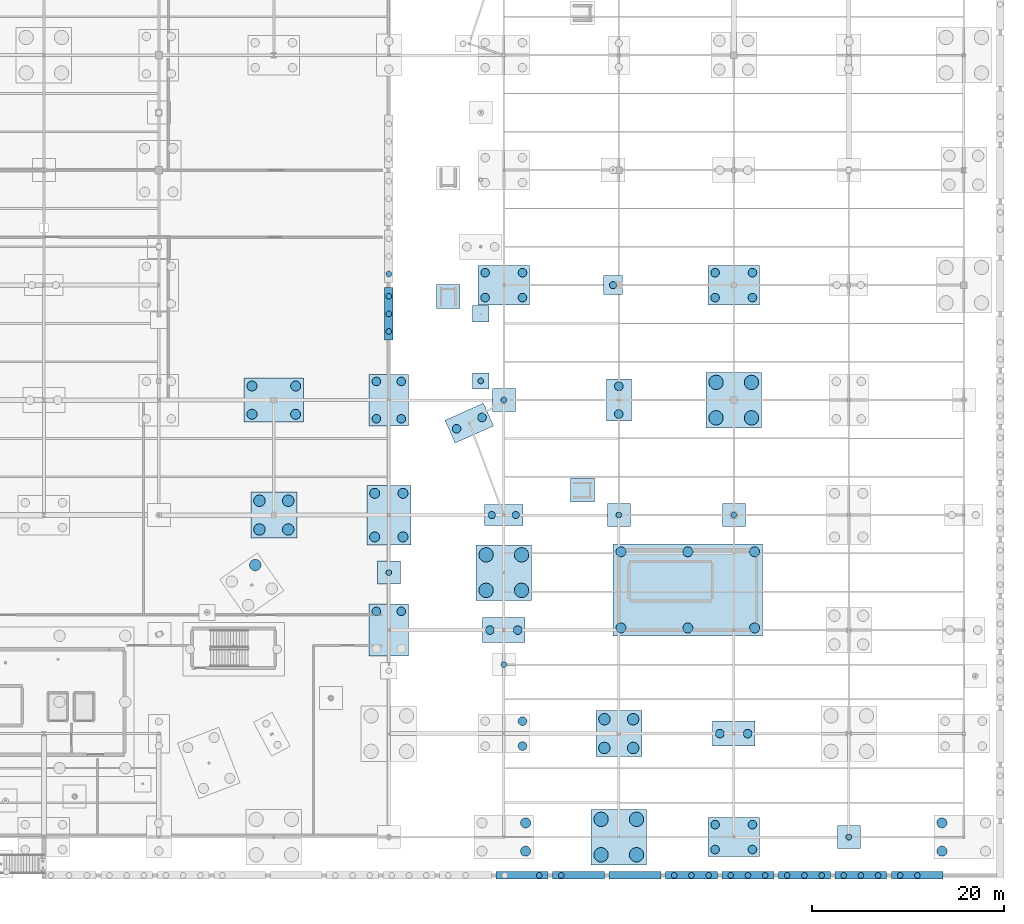
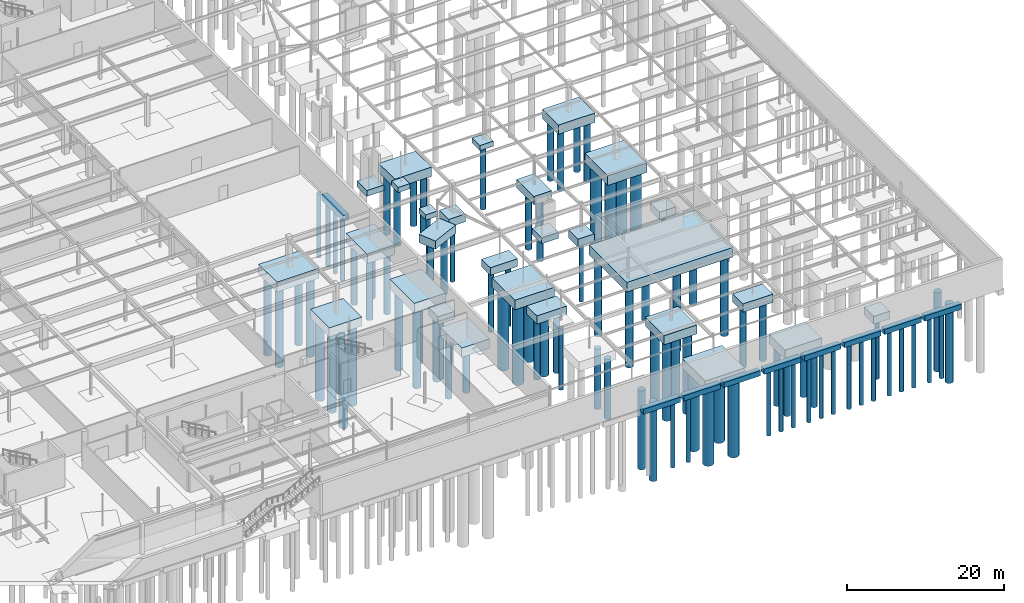
# One storey, part 6 of 136: 97 piles, 37 footings.
"""IFC4 building model written with IfcOpenShell, lengths in metres."""

from ifc_helpers import new_model, si_unit, direction, frame, origin, origin_2d, place, context, subcontext, project, spatial, rectangle, circle, extrude, material, material_profile, profile_set, type_object, element, save


model = new_model("IFC4")

# Units and contexts
model_context = context("Model", 3, precision=1e-05, world=origin(), true_north=direction((0.0, 1.0)))
body_context = subcontext(model_context, "Body", "Model", "MODEL_VIEW")
ifc_project = project(units=[si_unit("LENGTHUNIT", "METRE"), si_unit("AREAUNIT", "SQUARE_METRE"), si_unit("VOLUMEUNIT", "CUBIC_METRE"), si_unit("PLANEANGLEUNIT", "RADIAN"), si_unit("MASSUNIT", "GRAM", prefix="KILO")], contexts=[model_context])

# Site, building, storey
site_placement = place(None, origin())
site = spatial("IfcSite", under=ifc_project, at=site_placement, CompositionType="ELEMENT")
building_placement = place(site_placement, origin())
building = spatial("IfcBuilding", under=site, at=building_placement, Name="Tarnwether General Hospital", CompositionType="ELEMENT")
storey_placement = place(building_placement, frame((0.0, 0.0, -4.800048828125)))
storey = spatial("IfcBuildingStorey", under=building, at=storey_placement, Name="LG", CompositionType="ELEMENT", Elevation=-4.800048828125)

# Footings
ifc_material_1 = material(Name="Concrete 40 MPa", Category="concrete")
footing_type_1 = type_object("IfcFootingType", Name="FT-PC1", PredefinedType="PILE_CAP", material=ifc_material_1)
for number, where, z_axis, x_axis, name in (
    (1, (144.0, 45.60009765625, -1.19970703125), (0.0, 0.0, 1.0), (1.0, 0.0, 0.0), "Pile Cap FT-CAP-0133"),
    (2, (156.0, 33.60009765625, -1.19970703125), (0.0, 0.0, 1.0), (1.0, 0.0, 0.0), "Pile Cap FT-CAP-0144"),
    (3, (168.0, 33.60009765625, -1.19970703125), (0.0, 0.0, 1.0), (1.0, 0.0, 0.0), "Pile Cap FT-CAP-0153"),
    (4, (180.0, 0.0, -1.19970703125), (0.0, 0.0, 1.0), (0.0, 1.0, 0.0), "Pile Cap FT-CAP-0159"),
    (5, (132.0, 27.60009765625, -1.19970703125), (0.0, 0.0, 1.0), (1.0, 0.0, 0.0), "Pile Cap FT-CAP-0229"),
):
    element("IfcFooting", number, at=place(storey_placement, frame(where, z_axis=z_axis, x_axis=x_axis)), inside=storey, type_object=footing_type_1, Name=name, PredefinedType="PILE_CAP", context=body_context, shape_type="SweptSolid", body=[
        extrude(rectangle(XDim=2.39990234375, YDim=2.39990234375, at=origin_2d()), origin(), (0.0, 0.0, 1.0), 1.199951171875),
    ])
ifc_material_2 = material(Name="Concrete 40 MPa", Category="concrete")
footing_type_2 = type_object("IfcFootingType", Name="FT-PC10", PredefinedType="PILE_CAP", material=ifc_material_2)
footing_1_placement = place(storey_placement, frame((163.199951171875, 25.800048828125, -1.5), z_axis=(0.0, 0.0, 1.0), x_axis=(1.0, 0.0, 0.0)))
element("IfcFooting", 6, at=footing_1_placement, inside=storey, type_object=footing_type_2, Name="Pile Cap FT-CAP-0005", PredefinedType="PILE_CAP", context=body_context, shape_type="SweptSolid", body=[
    extrude(rectangle(XDim=15.60009765625, YDim=9.60009765625, at=origin_2d()), origin(), (0.0, 0.0, 1.0), 1.5),
])
ifc_material_3 = material(Name="Concrete 40 MPa", Category="concrete")
footing_type_3 = type_object("IfcFootingType", Name="FT-PC2", PredefinedType="PILE_CAP", material=ifc_material_3)
footing_2_placement = place(storey_placement, frame((144.0, 33.60009765625, -1.19970703125), z_axis=(0.0, 0.0, 1.0), x_axis=(1.0, 0.0, 0.0)))
element("IfcFooting", 7, at=footing_2_placement, inside=storey, type_object=footing_type_3, Name="Pile Cap FT-CAP-0132", PredefinedType="PILE_CAP", context=body_context, shape_type="SweptSolid", body=[
    extrude(rectangle(XDim=4.0, YDim=2.199951171875, at=origin_2d()), origin(), (0.0, 0.0, 1.0), 1.199951171875),
])
ifc_material_4 = material(Name="Concrete 40 MPa", Category="concrete")
footing_type_4 = type_object("IfcFootingType", Name="FT-PC3", PredefinedType="PILE_CAP", material=ifc_material_4)
for number, where, z_axis, x_axis, name in (
    (8, (144.0, 21.60009765625, -1.2998046875), (0.0, 0.0, 1.0), (1.0, 0.0, 0.0), "Pile Cap FT-CAP-0131"),
    (9, (156.0, 45.60009765625, -1.2998046875), (0.0, 0.0, 1.0), (0.0, 1.0, 0.0), "Pile Cap FT-CAP-0145"),
    (10, (168.0, 10.800048828125, -1.2998046875), (0.0, 0.0, 1.0), (1.0, 0.0, 0.0), "Pile Cap FT-CAP-0152"),
    (11, (140.39990234375, 43.199951171875, -1.2998046875), (0.0, 0.0, 1.0), (0.913545457643, 0.406736643076, 0.0), "Pile Cap FT-CAP-0250"),
):
    element("IfcFooting", number, at=place(storey_placement, frame(where, z_axis=z_axis, x_axis=x_axis)), inside=storey, type_object=footing_type_4, Name=name, PredefinedType="PILE_CAP", context=body_context, shape_type="SweptSolid", body=[
        extrude(rectangle(XDim=4.39990234375, YDim=2.60009765625, at=origin_2d()), origin(), (0.0, 0.0, 1.0), 1.300048828125),
    ])
ifc_material_5 = material(Name="Concrete 40 MPa", Category="concrete")
footing_type_5 = type_object("IfcFootingType", Name="FT-PC4", PredefinedType="PILE_CAP", material=ifc_material_5)
for number, where, z_axis, x_axis, name in (
    (12, (120.0, 33.60009765625, -1.39990234375), (0.0, 0.0, 1.0), (1.0, 0.0, 0.0), "Pile Cap FT-CAP-0114"),
    (13, (156.0, 10.800048828125, -1.39990234375), (0.0, 0.0, 1.0), (0.0, 1.0, 0.0), "Pile Cap FT-CAP-0142"),
):
    element("IfcFooting", number, at=place(storey_placement, frame(where, z_axis=z_axis, x_axis=x_axis)), inside=storey, type_object=footing_type_5, Name=name, PredefinedType="PILE_CAP", context=body_context, shape_type="SweptSolid", body=[
        extrude(rectangle(XDim=4.800048828125, YDim=4.800048828125, at=origin_2d()), origin(), (0.0, 0.0, 1.0), 1.39990234375),
    ])
ifc_material_6 = material(Name="Concrete 40 MPa", Category="concrete")
footing_type_6 = type_object("IfcFootingType", Name="FT-PC5", PredefinedType="PILE_CAP", material=ifc_material_6)
for number, where, z_axis, x_axis, name in (
    (14, (156.0, 0.0, -1.5), (0.0, 0.0, 1.0), (0.0, 1.0, 0.0), "Pile Cap FT-CAP-0141"),
    (15, (168.0, 45.60009765625, -1.5), (0.0, 0.0, 1.0), (1.0, 0.0, 0.0), "Pile Cap FT-CAP-0154"),
    (16, (144.0, 27.60009765625, -1.5), (0.0, 0.0, 1.0), (1.0, 0.0, 0.0), "Pile Cap FT-CAP-0233"),
):
    element("IfcFooting", number, at=place(storey_placement, frame(where, z_axis=z_axis, x_axis=x_axis)), inside=storey, type_object=footing_type_6, Name=name, PredefinedType="PILE_CAP", context=body_context, shape_type="SweptSolid", body=[
        extrude(rectangle(XDim=5.800048828125, YDim=5.800048828125, at=origin_2d()), origin(), (0.0, 0.0, 1.0), 1.5),
    ])
ifc_material_7 = material(Name="Concrete 40 MPa", Category="concrete")
footing_type_7 = type_object("IfcFootingType", Name="FT-PC6", PredefinedType="PILE_CAP", material=ifc_material_7)
for number, where, z_axis, x_axis, name in (
    (17, (132.0, 21.60009765625, -1.44970703125), (0.0, 0.0, 1.0), (0.0, 1.0, 0.0), "Pile Cap FT-CAP-0121"),
    (18, (132.0, 45.60009765625, -1.44970703125), (0.0, 0.0, 1.0), (0.0, 1.0, 0.0), "Pile Cap FT-CAP-0123"),
    (19, (144.0, 57.60009765625, -1.44970703125), (0.0, 0.0, 1.0), (1.0, 0.0, 0.0), "Pile Cap FT-CAP-0134"),
    (20, (168.0, 0.0, -1.44970703125), (0.0, 0.0, 1.0), (1.0, 0.0, 0.0), "Pile Cap FT-CAP-0151"),
    (21, (168.0, 57.60009765625, -1.44970703125), (0.0, 0.0, 1.0), (1.0, 0.0, 0.0), "Pile Cap FT-CAP-0242"),
):
    element("IfcFooting", number, at=place(storey_placement, frame(where, z_axis=z_axis, x_axis=x_axis)), inside=storey, type_object=footing_type_7, Name=name, PredefinedType="PILE_CAP", context=body_context, shape_type="SweptSolid", body=[
        extrude(rectangle(XDim=5.39990234375, YDim=4.10009765625, at=origin_2d()), origin(), (0.0, 0.0, 1.0), 1.449951171875),
    ])
ifc_material_8 = material(Name="Concrete 40 MPa", Category="concrete")
footing_type_8 = type_object("IfcFootingType", Name="FT-PC7", PredefinedType="PILE_CAP", material=ifc_material_8)
for number, where, z_axis, x_axis, name in (
    (22, (120.0, 45.60009765625, -1.5498046875), (0.0, 0.0, 1.0), (1.0, 0.0, 0.0), "Pile Cap FT-CAP-0115"),
    (23, (132.0, 33.60009765625, -1.5498046875), (0.0, 0.0, 1.0), (0.0, 1.0, 0.0), "Pile Cap FT-CAP-0122"),
):
    element("IfcFooting", number, at=place(storey_placement, frame(where, z_axis=z_axis, x_axis=x_axis)), inside=storey, type_object=footing_type_8, Name=name, PredefinedType="PILE_CAP", context=body_context, shape_type="SweptSolid", body=[
        extrude(rectangle(XDim=6.199951171875, YDim=4.60009765625, at=origin_2d()), origin(), (0.0, 0.0, 1.0), 1.550048828125),
    ])
ifc_material_9 = material(Name="Concrete 40 MPa", Category="concrete")
footing_type_9 = type_object("IfcFootingType", Name="FT-PF1", PredefinedType="PAD_FOOTING", material=ifc_material_9)
footing_3_placement = place(storey_placement, frame((155.39990234375, 57.60009765625, -0.7998046875), z_axis=(0.0, 0.0, 1.0), x_axis=(1.0, 0.0, 0.0)))
element("IfcFooting", 24, at=footing_3_placement, inside=storey, type_object=footing_type_9, Name="Pad Footing FT-PAD-0240", PredefinedType="PAD_FOOTING", context=body_context, shape_type="SweptSolid", body=[
    extrude(rectangle(XDim=2.0, YDim=2.0, at=origin_2d()), origin(), (0.0, 0.0, 1.0), 0.800048828125),
])
ifc_material_10 = material(Name="Concrete 40 MPa", Category="concrete")
footing_type_10 = type_object("IfcFootingType", Name="FT-PF2", PredefinedType="PAD_FOOTING", material=ifc_material_10)
for number, where, z_axis, x_axis, name in (
    (25, (138.199951171875, 56.39990234375, -0.89990234375), (0.0, 0.0, 1.0), (0.0, 1.0, 0.0), "Feature Stair Pad Footing ST-11"),
    (26, (152.199951171875, 36.199951171875, -0.89990234375), (0.0, 0.0, 1.0), (1.0, 0.0, 0.0), "Feature Stair Pad Footing ST-13"),
):
    element("IfcFooting", number, at=place(storey_placement, frame(where, z_axis=z_axis, x_axis=x_axis)), inside=storey, type_object=footing_type_10, Name=name, PredefinedType="PAD_FOOTING", context=body_context, shape_type="SweptSolid", body=[
        extrude(rectangle(XDim=2.5, YDim=2.5, at=origin_2d()), origin(), (0.0, 0.0, 1.0), 0.89990234375),
    ])
ifc_material_11 = material(Name="Concrete 40 MPa", Category="concrete")
footing_type_11 = type_object("IfcFootingType", Name="FT-PF5", PredefinedType="PAD_FOOTING", material=ifc_material_11)
for number, where, z_axis, x_axis, name in (
    (27, (141.60009765625, 47.60009765625, -0.7998046875), (0.0, 0.0, 1.0), (1.0, 0.0, 0.0), "Column Bearing Pad FT-PAD-0183"),
    (28, (141.60009765625, 54.60009765625, -0.7998046875), (0.0, 0.0, 1.0), (1.0, 0.0, 0.0), "Column Bearing Pad FT-PAD-0184"),
):
    element("IfcFooting", number, at=place(storey_placement, frame(where, z_axis=z_axis, x_axis=x_axis)), inside=storey, type_object=footing_type_11, Name=name, PredefinedType="PAD_FOOTING", context=body_context, shape_type="SweptSolid", body=[
        extrude(rectangle(XDim=1.699951171875, YDim=1.699951171875, at=origin_2d()), origin(), (0.0, 0.0, 1.0), 0.800048828125),
    ])
ifc_material_12 = material(Name="Concrete 40 MPa", Category="concrete")
footing_type_12 = type_object("IfcFootingType", Name="FT-SF1", PredefinedType="STRIP_FOOTING", material=ifc_material_12)
for number, where, z_axis, x_axis, name in (
    (29, (145.89990234375, -4.0, -0.7998046875), (0.0, 0.0, 1.0), (1.0, 0.0, 0.0), "Retaining Strip Footing FT-SF-0106"),
    (30, (151.7939453125, -4.0, -0.7998046875), (0.0, 0.0, 1.0), (1.0, 0.0, 0.0), "Retaining Strip Footing FT-SF-0107"),
    (31, (157.68798828125, -4.0, -0.7998046875), (0.0, 0.0, 1.0), (1.0, 0.0, 0.0), "Retaining Strip Footing FT-SF-0108"),
    (32, (163.58203125, -4.0, -0.7998046875), (0.0, 0.0, 1.0), (1.0, 0.0, 0.0), "Retaining Strip Footing FT-SF-0109"),
    (33, (169.47607421875, -4.0, -0.7998046875), (0.0, 0.0, 1.0), (1.0, 0.0, 0.0), "Retaining Strip Footing FT-SF-0110"),
    (34, (175.37109375, -4.0, -0.7998046875), (0.0, 0.0, 1.0), (1.0, 0.0, 0.0), "Retaining Strip Footing FT-SF-0111"),
    (35, (181.264892578125, -4.0, -0.7998046875), (0.0, 0.0, 1.0), (1.0, 0.0, 0.0), "Retaining Strip Footing FT-SF-0112"),
    (36, (187.158935546875, -4.0, -0.7998046875), (0.0, 0.0, 1.0), (1.0, 0.0, 0.0), "Retaining Strip Footing FT-SF-0113"),
):
    element("IfcFooting", number, at=place(storey_placement, frame(where, z_axis=z_axis, x_axis=x_axis)), inside=storey, type_object=footing_type_12, Name=name, PredefinedType="STRIP_FOOTING", context=body_context, shape_type="SweptSolid", body=[
        extrude(rectangle(XDim=5.39404296875, YDim=0.800048828125, at=origin_2d()), origin(), (0.0, 0.0, 1.0), 0.800048828125),
    ])
ifc_material_13 = material(Name="Concrete 40 MPa", Category="concrete")
footing_type_13 = type_object("IfcFootingType", Name="FT-SF2", PredefinedType="STRIP_FOOTING", material=ifc_material_13)
footing_4_placement = place(storey_placement, frame((132.0, 54.60009765625, -0.89990234375), z_axis=(0.0, 0.0, 1.0), x_axis=(0.0, 1.0, 0.0)))
element("IfcFooting", 37, at=footing_4_placement, inside=storey, type_object=footing_type_13, Name="Retaining Strip Footing FT-SF-0049", PredefinedType="STRIP_FOOTING", context=body_context, shape_type="SweptSolid", body=[
    extrude(rectangle(XDim=5.5, YDim=0.89990234375, at=origin_2d()), origin(), (0.0, 0.0, 1.0), 0.89990234375),
])

# Piles
ifc_material_14 = material(Name="Concrete 40 MPa", Category="concrete")
ifc_material_profile_1 = material_profile(ifc_material_14, circle(Radius=0.52490234375, at=origin_2d()), Name="PILE-D1050")
ifc_profile_set_1 = profile_set([ifc_material_profile_1], Name="Concrete 40 MPa")
pile_type_1 = type_object("IfcPileType", Name="PL-1050", PredefinedType="BORED", material=ifc_profile_set_1)
for number, where, z_axis, x_axis, name in (
    (38, (156.22509765625, 21.824951171875, -1.39990234375), (0.0, 0.0, -1.0), (1.0, 0.0, 0.0), "Bored Pile PLG-LG-1562_218-0037"),
    (39, (156.22509765625, 29.77490234375, -1.39990234375), (0.0, 0.0, -1.0), (1.0, 0.0, 0.0), "Bored Pile PLG-LG-1562_298-0038"),
    (40, (163.199951171875, 21.824951171875, -1.39990234375), (0.0, 0.0, -1.0), (1.0, 0.0, 0.0), "Bored Pile PLG-LG-1632_218-0039"),
    (41, (163.199951171875, 29.77490234375, -1.39990234375), (0.0, 0.0, -1.0), (1.0, 0.0, 0.0), "Bored Pile PLG-LG-1632_298-0040"),
    (42, (170.175048828125, 21.824951171875, -1.39990234375), (0.0, 0.0, -1.0), (1.0, 0.0, 0.0), "Bored Pile PLG-LG-1702_218-0041"),
    (43, (170.175048828125, 29.77490234375, -1.39990234375), (0.0, 0.0, -1.0), (1.0, 0.0, 0.0), "Bored Pile PLG-LG-1702_298-0042"),
):
    element("IfcPile", number, at=place(storey_placement, frame(where, z_axis=z_axis, x_axis=x_axis)), inside=storey, type_object=pile_type_1, Name=name, PredefinedType="BORED", context=body_context, shape_type="SweptSolid", body=[
        extrude(circle(Radius=0.52490234375, at=origin_2d()), origin(), (0.0, 0.0, 1.0), 12.300048828125),
    ])
for number, where, z_axis, x_axis, name in (
    (44, (117.72509765625, 44.125, -1.449951171875), (0.0, 0.0, -1.0), (1.0, 0.0, 0.0), "Bored Pile PLG-LG-1177_441-0371"),
    (45, (117.72509765625, 47.074951171875, -1.449951171875), (0.0, 0.0, -1.0), (1.0, 0.0, 0.0), "Bored Pile PLG-LG-1177_471-0372"),
    (46, (122.27490234375, 44.125, -1.449951171875), (0.0, 0.0, -1.0), (1.0, 0.0, 0.0), "Bored Pile PLG-LG-1223_441-0373"),
    (47, (122.27490234375, 47.074951171875, -1.449951171875), (0.0, 0.0, -1.0), (1.0, 0.0, 0.0), "Bored Pile PLG-LG-1223_471-0374"),
    (48, (133.47509765625, 31.324951171875, -1.449951171875), (0.0, 0.0, -1.0), (1.0, 0.0, 0.0), "Bored Pile PLG-LG-1335_313-0392"),
    (49, (130.52490234375, 31.324951171875, -1.449951171875), (0.0, 0.0, -1.0), (1.0, 0.0, 0.0), "Bored Pile PLG-LG-1305_313-0393"),
    (50, (133.47509765625, 35.875, -1.449951171875), (0.0, 0.0, -1.0), (1.0, 0.0, 0.0), "Bored Pile PLG-LG-1335_359-0394"),
    (51, (130.52490234375, 35.875, -1.449951171875), (0.0, 0.0, -1.0), (1.0, 0.0, 0.0), "Bored Pile PLG-LG-1305_359-0395"),
    (52, (146.27490234375, -1.47509765625, -1.449951171875), (0.0, 0.0, -1.0), (1.0, 0.0, 0.0), "Bored Pile PLG-LG-1463_-15-0415"),
    (53, (146.27490234375, 1.47509765625, -1.449951171875), (0.0, 0.0, -1.0), (1.0, 0.0, 0.0), "Bored Pile PLG-LG-1463_15-0416"),
    (54, (189.72509765625, -1.47509765625, -1.449951171875), (0.0, 0.0, -1.0), (1.0, 0.0, 0.0), "Bored Pile PLG-LG-1897_-15-0518"),
    (55, (189.72509765625, 1.47509765625, -1.449951171875), (0.0, 0.0, -1.0), (1.0, 0.0, 0.0), "Bored Pile PLG-LG-1897_15-0519"),
):
    element("IfcPile", number, at=place(storey_placement, frame(where, z_axis=z_axis, x_axis=x_axis)), inside=storey, type_object=pile_type_1, Name=name, PredefinedType="BORED", context=body_context, shape_type="SweptSolid", body=[
        extrude(circle(Radius=0.52490234375, at=origin_2d()), origin(), (0.0, 0.0, 1.0), 12.25),
    ])
ifc_material_15 = material(Name="Concrete 40 MPa", Category="concrete")
ifc_material_profile_2 = material_profile(ifc_material_15, circle(Radius=0.60009765625, at=origin_2d()), Name="PILE-D1200")
ifc_profile_set_2 = profile_set([ifc_material_profile_2], Name="Concrete 40 MPa")
pile_type_2 = type_object("IfcPileType", Name="PL-1200", PredefinedType="BORED", material=ifc_profile_set_2)
for number, where, z_axis, x_axis, name in (
    (56, (118.5, 32.10009765625, -1.300048828125), (0.0, 0.0, -1.0), (1.0, 0.0, 0.0), "Bored Pile PLG-LG-1185_321-0367"),
    (57, (118.5, 35.10009765625, -1.300048828125), (0.0, 0.0, -1.0), (1.0, 0.0, 0.0), "Bored Pile PLG-LG-1185_351-0368"),
    (58, (121.5, 32.10009765625, -1.300048828125), (0.0, 0.0, -1.0), (1.0, 0.0, 0.0), "Bored Pile PLG-LG-1215_321-0369"),
    (59, (121.5, 35.10009765625, -1.300048828125), (0.0, 0.0, -1.0), (1.0, 0.0, 0.0), "Bored Pile PLG-LG-1215_351-0370"),
    (60, (157.5, 9.300048828125, -1.300048828125), (0.0, 0.0, -1.0), (1.0, 0.0, 0.0), "Bored Pile PLG-LG-1575_93-0451"),
    (61, (154.5, 9.300048828125, -1.300048828125), (0.0, 0.0, -1.0), (1.0, 0.0, 0.0), "Bored Pile PLG-LG-1545_93-0452"),
    (62, (157.5, 12.300048828125, -1.300048828125), (0.0, 0.0, -1.0), (1.0, 0.0, 0.0), "Bored Pile PLG-LG-1575_123-0453"),
    (63, (154.5, 12.300048828125, -1.300048828125), (0.0, 0.0, -1.0), (1.0, 0.0, 0.0), "Bored Pile PLG-LG-1545_123-0454"),
    (64, (118.06396484375, 28.39111328125, -1.300048828125), (0.0, 0.0, -1.0), (1.0, 0.0, 0.0), "Bored Pile PLG-LG-1181_284-0608"),
):
    element("IfcPile", number, at=place(storey_placement, frame(where, z_axis=z_axis, x_axis=x_axis)), inside=storey, type_object=pile_type_2, Name=name, PredefinedType="BORED", context=body_context, shape_type="SweptSolid", body=[
        extrude(circle(Radius=0.60009765625, at=origin_2d()), origin(), (0.0, 0.0, 1.0), 12.39990234375),
    ])
ifc_material_16 = material(Name="Concrete 40 MPa", Category="concrete")
ifc_material_profile_3 = material_profile(ifc_material_16, circle(Radius=0.75, at=origin_2d()), Name="PILE-D1500")
ifc_profile_set_3 = profile_set([ifc_material_profile_3], Name="Concrete 40 MPa")
pile_type_3 = type_object("IfcPileType", Name="PL-1500", PredefinedType="BORED", material=ifc_profile_set_3)
for number, where, z_axis, x_axis, name in (
    (65, (157.85009765625, -1.85009765625, -1.39990234375), (0.0, 0.0, -1.0), (1.0, 0.0, 0.0), "Bored Pile PLG-LG-1578_-18-0447"),
    (66, (154.14990234375, -1.85009765625, -1.39990234375), (0.0, 0.0, -1.0), (1.0, 0.0, 0.0), "Bored Pile PLG-LG-1542_-18-0448"),
    (67, (157.85009765625, 1.85009765625, -1.39990234375), (0.0, 0.0, -1.0), (1.0, 0.0, 0.0), "Bored Pile PLG-LG-1578_18-0449"),
    (68, (154.14990234375, 1.85009765625, -1.39990234375), (0.0, 0.0, -1.0), (1.0, 0.0, 0.0), "Bored Pile PLG-LG-1542_18-0450"),
    (69, (166.14990234375, 43.75, -1.39990234375), (0.0, 0.0, -1.0), (1.0, 0.0, 0.0), "Bored Pile PLG-LG-1662_438-0475"),
    (70, (166.14990234375, 47.449951171875, -1.39990234375), (0.0, 0.0, -1.0), (1.0, 0.0, 0.0), "Bored Pile PLG-LG-1662_474-0476"),
    (71, (169.85009765625, 43.75, -1.39990234375), (0.0, 0.0, -1.0), (1.0, 0.0, 0.0), "Bored Pile PLG-LG-1698_438-0477"),
    (72, (169.85009765625, 47.449951171875, -1.39990234375), (0.0, 0.0, -1.0), (1.0, 0.0, 0.0), "Bored Pile PLG-LG-1698_474-0478"),
    (73, (142.14990234375, 25.75, -1.39990234375), (0.0, 0.0, -1.0), (1.0, 0.0, 0.0), "Bored Pile PLG-LG-1422_258-0617"),
    (74, (142.14990234375, 29.449951171875, -1.39990234375), (0.0, 0.0, -1.0), (1.0, 0.0, 0.0), "Bored Pile PLG-LG-1422_294-0618"),
    (75, (145.85009765625, 25.75, -1.39990234375), (0.0, 0.0, -1.0), (1.0, 0.0, 0.0), "Bored Pile PLG-LG-1458_258-0619"),
    (76, (145.85009765625, 29.449951171875, -1.39990234375), (0.0, 0.0, -1.0), (1.0, 0.0, 0.0), "Bored Pile PLG-LG-1458_294-0620"),
):
    element("IfcPile", number, at=place(storey_placement, frame(where, z_axis=z_axis, x_axis=x_axis)), inside=storey, type_object=pile_type_3, Name=name, PredefinedType="BORED", context=body_context, shape_type="SweptSolid", body=[
        extrude(circle(Radius=0.75, at=origin_2d()), origin(), (0.0, 0.0, 1.0), 12.300048828125),
    ])
ifc_material_17 = material(Name="Concrete 40 MPa", Category="concrete")
ifc_material_profile_4 = material_profile(ifc_material_17, circle(Radius=0.300048828125, at=origin_2d()), Name="PILE-D600")
ifc_profile_set_4 = profile_set([ifc_material_profile_4], Name="Concrete 40 MPa")
pile_type_4 = type_object("IfcPileType", Name="PL-600", PredefinedType="BORED", material=ifc_profile_set_4)
for number, where, z_axis, x_axis, name in (
    (77, (144.0, 45.60009765625, -1.099853515625), (0.0, 0.0, -1.0), (1.0, 0.0, 0.0), "Bored Pile PLG-LG-1440_456-0425"),
    (78, (156.0, 33.60009765625, -1.099853515625), (0.0, 0.0, -1.0), (1.0, 0.0, 0.0), "Bored Pile PLG-LG-1560_336-0455"),
    (79, (168.0, 33.60009765625, -1.099853515625), (0.0, 0.0, -1.0), (1.0, 0.0, 0.0), "Bored Pile PLG-LG-1680_336-0474"),
    (80, (180.0, 0.0, -1.099853515625), (0.0, 0.0, -1.0), (1.0, 0.0, 0.0), "Bored Pile PLG-LG-1800_0-0488"),
):
    element("IfcPile", number, at=place(storey_placement, frame(where, z_axis=z_axis, x_axis=x_axis)), inside=storey, type_object=pile_type_4, Name=name, PredefinedType="BORED", context=body_context, shape_type="SweptSolid", body=[
        extrude(circle(Radius=0.300048828125, at=origin_2d()), origin(), (0.0, 0.0, 1.0), 9.60009765625),
    ])
pile_1_placement = place(storey_placement, frame((141.60009765625, 47.60009765625, -0.699951171875), z_axis=(0.0, 0.0, -1.0), x_axis=(1.0, 0.0, 0.0)))
element("IfcPile", 81, at=pile_1_placement, inside=storey, type_object=pile_type_4, Name="Bored Pile PLG-LG-1416_476-0551", PredefinedType="BORED", context=body_context, shape_type="SweptSolid", body=[
    extrude(circle(Radius=0.300048828125, at=origin_2d()), origin(), (0.0, 0.0, 1.0), 10.0),
])
for number, where, z_axis, x_axis, name in (
    (82, (132.0, 27.60009765625, -1.099853515625), (0.0, 0.0, -1.0), (1.0, 0.0, 0.0), "Bored Pile PLG-LG-1320_276-0611"),
    (83, (144.0, 18.0, -1.099853515625), (0.0, 0.0, -1.0), (1.0, 0.0, 0.0), "Bored Pile PLG-LG-1440_180-0616"),
):
    element("IfcPile", number, at=place(storey_placement, frame(where, z_axis=z_axis, x_axis=x_axis)), inside=storey, type_object=pile_type_4, Name=name, PredefinedType="BORED", context=body_context, shape_type="SweptSolid", body=[
        extrude(circle(Radius=0.300048828125, at=origin_2d()), origin(), (0.0, 0.0, 1.0), 9.60009765625),
    ])
for number, where, z_axis, x_axis, name in (
    (84, (132.0, 52.76708984375, -0.800048828125), (0.0, 0.0, -1.0), (1.0, 0.0, 0.0), "Bored Pile PLG-LG-1320_528-0661"),
    (85, (132.0, 54.60009765625, -0.800048828125), (0.0, 0.0, -1.0), (1.0, 0.0, 0.0), "Bored Pile PLG-LG-1320_546-0662"),
    (86, (132.0, 56.43310546875, -0.800048828125), (0.0, 0.0, -1.0), (1.0, 0.0, 0.0), "Bored Pile PLG-LG-1320_564-0663"),
    (87, (132.0, 58.76708984375, -0.800048828125), (0.0, 0.0, -1.0), (1.0, 0.0, 0.0), "Bored Pile PLG-LG-1320_588-0664"),
):
    element("IfcPile", number, at=place(storey_placement, frame(where, z_axis=z_axis, x_axis=x_axis)), inside=storey, type_object=pile_type_4, Name=name, PredefinedType="BORED", context=body_context, shape_type="SweptSolid", body=[
        extrude(circle(Radius=0.300048828125, at=origin_2d()), origin(), (0.0, 0.0, 1.0), 9.89990234375),
    ])
for number, where, z_axis, x_axis, name in (
    (88, (147.697998046875, -4.0, -0.699951171875), (0.0, 0.0, -1.0), (1.0, 0.0, 0.0), "Bored Pile PLG-LG-1477_-40-0795"),
    (89, (149.99609375, -4.0, -0.699951171875), (0.0, 0.0, -1.0), (1.0, 0.0, 0.0), "Bored Pile PLG-LG-1500_-40-0796"),
    (90, (161.783935546875, -4.0, -0.699951171875), (0.0, 0.0, -1.0), (1.0, 0.0, 0.0), "Bored Pile PLG-LG-1618_-40-0797"),
    (91, (163.58203125, -4.0, -0.699951171875), (0.0, 0.0, -1.0), (1.0, 0.0, 0.0), "Bored Pile PLG-LG-1636_-40-0798"),
    (92, (165.3798828125, -4.0, -0.699951171875), (0.0, 0.0, -1.0), (1.0, 0.0, 0.0), "Bored Pile PLG-LG-1654_-40-0799"),
    (93, (167.677978515625, -4.0, -0.699951171875), (0.0, 0.0, -1.0), (1.0, 0.0, 0.0), "Bored Pile PLG-LG-1677_-40-0800"),
    (94, (169.47607421875, -4.0, -0.699951171875), (0.0, 0.0, -1.0), (1.0, 0.0, 0.0), "Bored Pile PLG-LG-1695_-40-0801"),
    (95, (171.27490234375, -4.0, -0.699951171875), (0.0, 0.0, -1.0), (1.0, 0.0, 0.0), "Bored Pile PLG-LG-1713_-40-0802"),
    (96, (173.572998046875, -4.0, -0.699951171875), (0.0, 0.0, -1.0), (1.0, 0.0, 0.0), "Bored Pile PLG-LG-1736_-40-0803"),
    (97, (175.37109375, -4.0, -0.699951171875), (0.0, 0.0, -1.0), (1.0, 0.0, 0.0), "Bored Pile PLG-LG-1754_-40-0804"),
    (98, (177.1689453125, -4.0, -0.699951171875), (0.0, 0.0, -1.0), (1.0, 0.0, 0.0), "Bored Pile PLG-LG-1772_-40-0805"),
    (99, (179.467041015625, -4.0, -0.699951171875), (0.0, 0.0, -1.0), (1.0, 0.0, 0.0), "Bored Pile PLG-LG-1795_-40-0806"),
    (100, (181.264892578125, -4.0, -0.699951171875), (0.0, 0.0, -1.0), (1.0, 0.0, 0.0), "Bored Pile PLG-LG-1813_-40-0807"),
    (101, (183.06298828125, -4.0, -0.699951171875), (0.0, 0.0, -1.0), (1.0, 0.0, 0.0), "Bored Pile PLG-LG-1831_-40-0808"),
    (102, (185.361083984375, -4.0, -0.699951171875), (0.0, 0.0, -1.0), (1.0, 0.0, 0.0), "Bored Pile PLG-LG-1854_-40-0809"),
    (103, (187.158935546875, -4.0, -0.699951171875), (0.0, 0.0, -1.0), (1.0, 0.0, 0.0), "Bored Pile PLG-LG-1872_-40-0810"),
):
    element("IfcPile", number, at=place(storey_placement, frame(where, z_axis=z_axis, x_axis=x_axis)), inside=storey, type_object=pile_type_4, Name=name, PredefinedType="BORED", context=body_context, shape_type="SweptSolid", body=[
        extrude(circle(Radius=0.300048828125, at=origin_2d()), origin(), (0.0, 0.0, 1.0), 10.0),
    ])
ifc_material_18 = material(Name="Concrete 40 MPa", Category="concrete")
ifc_material_profile_5 = material_profile(ifc_material_18, circle(Radius=0.375, at=origin_2d()), Name="PILE-D750")
ifc_profile_set_5 = profile_set([ifc_material_profile_5], Name="Concrete 40 MPa")
pile_type_5 = type_object("IfcPileType", Name="PL-750", PredefinedType="BORED", material=ifc_profile_set_5)
for number, where, z_axis, x_axis, name in (
    (104, (142.75, 33.60009765625, -1.099853515625), (0.0, 0.0, -1.0), (1.0, 0.0, 0.0), "Bored Pile PLG-LG-1428_336-0423"),
    (105, (145.25, 33.60009765625, -1.099853515625), (0.0, 0.0, -1.0), (1.0, 0.0, 0.0), "Bored Pile PLG-LG-1452_336-0424"),
):
    element("IfcPile", number, at=place(storey_placement, frame(where, z_axis=z_axis, x_axis=x_axis)), inside=storey, type_object=pile_type_5, Name=name, PredefinedType="BORED", context=body_context, shape_type="SweptSolid", body=[
        extrude(circle(Radius=0.375, at=origin_2d()), origin(), (0.0, 0.0, 1.0), 9.60009765625),
    ])
pile_2_placement = place(storey_placement, frame((155.39990234375, 57.60009765625, -0.699951171875), z_axis=(0.0, 0.0, -1.0), x_axis=(1.0, 0.0, 0.0)))
element("IfcPile", 106, at=pile_2_placement, inside=storey, type_object=pile_type_5, Name="Bored Pile PLG-LG-1554_576-0631", PredefinedType="BORED", context=body_context, shape_type="SweptSolid", body=[
    extrude(circle(Radius=0.375, at=origin_2d()), origin(), (0.0, 0.0, 1.0), 10.0),
])
ifc_material_19 = material(Name="Concrete 40 MPa", Category="concrete")
ifc_material_profile_6 = material_profile(ifc_material_19, circle(Radius=0.449951171875, at=origin_2d()), Name="PILE-D900")
ifc_profile_set_6 = profile_set([ifc_material_profile_6], Name="Concrete 40 MPa")
pile_type_6 = type_object("IfcPileType", Name="PL-900", PredefinedType="BORED", material=ifc_profile_set_6)
for number, where, z_axis, x_axis, name in (
    (107, (133.300048828125, 23.550048828125, -1.349853515625), (0.0, 0.0, -1.0), (1.0, 0.0, 0.0), "Bored Pile PLG-LG-1333_236-0390"),
    (108, (130.699951171875, 23.550048828125, -1.349853515625), (0.0, 0.0, -1.0), (1.0, 0.0, 0.0), "Bored Pile PLG-LG-1307_236-0391"),
    (109, (133.300048828125, 43.64990234375, -1.349853515625), (0.0, 0.0, -1.0), (1.0, 0.0, 0.0), "Bored Pile PLG-LG-1333_436-0396"),
    (110, (130.699951171875, 43.64990234375, -1.349853515625), (0.0, 0.0, -1.0), (1.0, 0.0, 0.0), "Bored Pile PLG-LG-1307_436-0397"),
    (111, (133.300048828125, 47.550048828125, -1.349853515625), (0.0, 0.0, -1.0), (1.0, 0.0, 0.0), "Bored Pile PLG-LG-1333_476-0398"),
    (112, (130.699951171875, 47.550048828125, -1.349853515625), (0.0, 0.0, -1.0), (1.0, 0.0, 0.0), "Bored Pile PLG-LG-1307_476-0399"),
    (113, (145.949951171875, 9.5, -1.349853515625), (0.0, 0.0, -1.0), (1.0, 0.0, 0.0), "Bored Pile PLG-LG-1460_95-0419"),
    (114, (145.949951171875, 12.10009765625, -1.349853515625), (0.0, 0.0, -1.0), (1.0, 0.0, 0.0), "Bored Pile PLG-LG-1460_121-0420"),
):
    element("IfcPile", number, at=place(storey_placement, frame(where, z_axis=z_axis, x_axis=x_axis)), inside=storey, type_object=pile_type_6, Name=name, PredefinedType="BORED", context=body_context, shape_type="SweptSolid", body=[
        extrude(circle(Radius=0.449951171875, at=origin_2d()), origin(), (0.0, 0.0, 1.0), 9.35009765625),
    ])
for number, where, z_axis, x_axis, name in (
    (115, (142.550048828125, 21.60009765625, -1.199951171875), (0.0, 0.0, -1.0), (1.0, 0.0, 0.0), "Bored Pile PLG-LG-1426_216-0421"),
    (116, (145.449951171875, 21.60009765625, -1.199951171875), (0.0, 0.0, -1.0), (1.0, 0.0, 0.0), "Bored Pile PLG-LG-1454_216-0422"),
):
    element("IfcPile", number, at=place(storey_placement, frame(where, z_axis=z_axis, x_axis=x_axis)), inside=storey, type_object=pile_type_6, Name=name, PredefinedType="BORED", context=body_context, shape_type="SweptSolid", body=[
        extrude(circle(Radius=0.449951171875, at=origin_2d()), origin(), (0.0, 0.0, 1.0), 9.5),
    ])
for number, where, z_axis, x_axis, name in (
    (117, (142.050048828125, 56.300048828125, -1.349853515625), (0.0, 0.0, -1.0), (1.0, 0.0, 0.0), "Bored Pile PLG-LG-1420_563-0426"),
    (118, (142.050048828125, 58.89990234375, -1.349853515625), (0.0, 0.0, -1.0), (1.0, 0.0, 0.0), "Bored Pile PLG-LG-1420_589-0427"),
    (119, (145.949951171875, 56.300048828125, -1.349853515625), (0.0, 0.0, -1.0), (1.0, 0.0, 0.0), "Bored Pile PLG-LG-1460_563-0428"),
    (120, (145.949951171875, 58.89990234375, -1.349853515625), (0.0, 0.0, -1.0), (1.0, 0.0, 0.0), "Bored Pile PLG-LG-1460_589-0429"),
):
    element("IfcPile", number, at=place(storey_placement, frame(where, z_axis=z_axis, x_axis=x_axis)), inside=storey, type_object=pile_type_6, Name=name, PredefinedType="BORED", context=body_context, shape_type="SweptSolid", body=[
        extrude(circle(Radius=0.449951171875, at=origin_2d()), origin(), (0.0, 0.0, 1.0), 9.35009765625),
    ])
for number, where, z_axis, x_axis, name in (
    (121, (156.0, 44.14990234375, -1.199951171875), (0.0, 0.0, -1.0), (1.0, 0.0, 0.0), "Bored Pile PLG-LG-1560_442-0456"),
    (122, (156.0, 47.050048828125, -1.199951171875), (0.0, 0.0, -1.0), (1.0, 0.0, 0.0), "Bored Pile PLG-LG-1560_470-0457"),
):
    element("IfcPile", number, at=place(storey_placement, frame(where, z_axis=z_axis, x_axis=x_axis)), inside=storey, type_object=pile_type_6, Name=name, PredefinedType="BORED", context=body_context, shape_type="SweptSolid", body=[
        extrude(circle(Radius=0.449951171875, at=origin_2d()), origin(), (0.0, 0.0, 1.0), 9.5),
    ])
for number, where, z_axis, x_axis, name in (
    (123, (166.050048828125, -1.300048828125, -1.349853515625), (0.0, 0.0, -1.0), (1.0, 0.0, 0.0), "Bored Pile PLG-LG-1660_-13-0468"),
    (124, (166.050048828125, 1.300048828125, -1.349853515625), (0.0, 0.0, -1.0), (1.0, 0.0, 0.0), "Bored Pile PLG-LG-1660_13-0469"),
    (125, (169.949951171875, -1.300048828125, -1.349853515625), (0.0, 0.0, -1.0), (1.0, 0.0, 0.0), "Bored Pile PLG-LG-1700_-13-0470"),
    (126, (169.949951171875, 1.300048828125, -1.349853515625), (0.0, 0.0, -1.0), (1.0, 0.0, 0.0), "Bored Pile PLG-LG-1700_13-0471"),
):
    element("IfcPile", number, at=place(storey_placement, frame(where, z_axis=z_axis, x_axis=x_axis)), inside=storey, type_object=pile_type_6, Name=name, PredefinedType="BORED", context=body_context, shape_type="SweptSolid", body=[
        extrude(circle(Radius=0.449951171875, at=origin_2d()), origin(), (0.0, 0.0, 1.0), 9.35009765625),
    ])
for number, where, z_axis, x_axis, name in (
    (127, (166.550048828125, 10.800048828125, -1.199951171875), (0.0, 0.0, -1.0), (1.0, 0.0, 0.0), "Bored Pile PLG-LG-1666_108-0472"),
    (128, (169.449951171875, 10.800048828125, -1.199951171875), (0.0, 0.0, -1.0), (1.0, 0.0, 0.0), "Bored Pile PLG-LG-1694_108-0473"),
):
    element("IfcPile", number, at=place(storey_placement, frame(where, z_axis=z_axis, x_axis=x_axis)), inside=storey, type_object=pile_type_6, Name=name, PredefinedType="BORED", context=body_context, shape_type="SweptSolid", body=[
        extrude(circle(Radius=0.449951171875, at=origin_2d()), origin(), (0.0, 0.0, 1.0), 9.5),
    ])
for number, where, z_axis, x_axis, name in (
    (129, (166.050048828125, 56.300048828125, -1.349853515625), (0.0, 0.0, -1.0), (1.0, 0.0, 0.0), "Bored Pile PLG-LG-1660_563-0633"),
    (130, (166.050048828125, 58.89990234375, -1.349853515625), (0.0, 0.0, -1.0), (1.0, 0.0, 0.0), "Bored Pile PLG-LG-1660_589-0634"),
    (131, (169.949951171875, 56.300048828125, -1.349853515625), (0.0, 0.0, -1.0), (1.0, 0.0, 0.0), "Bored Pile PLG-LG-1700_563-0635"),
    (132, (169.949951171875, 58.89990234375, -1.349853515625), (0.0, 0.0, -1.0), (1.0, 0.0, 0.0), "Bored Pile PLG-LG-1700_589-0636"),
):
    element("IfcPile", number, at=place(storey_placement, frame(where, z_axis=z_axis, x_axis=x_axis)), inside=storey, type_object=pile_type_6, Name=name, PredefinedType="BORED", context=body_context, shape_type="SweptSolid", body=[
        extrude(circle(Radius=0.449951171875, at=origin_2d()), origin(), (0.0, 0.0, 1.0), 9.35009765625),
    ])
for number, where, z_axis, x_axis, name in (
    (133, (139.074951171875, 42.610107421875, -1.199951171875), (0.0, 0.0, -1.0), (1.0, 0.0, 0.0), "Bored Pile PLG-LG-1391_426-0652"),
    (134, (141.72509765625, 43.7900390625, -1.199951171875), (0.0, 0.0, -1.0), (1.0, 0.0, 0.0), "Bored Pile PLG-LG-1417_438-0653"),
):
    element("IfcPile", number, at=place(storey_placement, frame(where, z_axis=z_axis, x_axis=x_axis)), inside=storey, type_object=pile_type_6, Name=name, PredefinedType="BORED", context=body_context, shape_type="SweptSolid", body=[
        extrude(circle(Radius=0.449951171875, at=origin_2d()), origin(), (0.0, 0.0, 1.0), 9.5),
    ])

save(model, "model.ifc")
